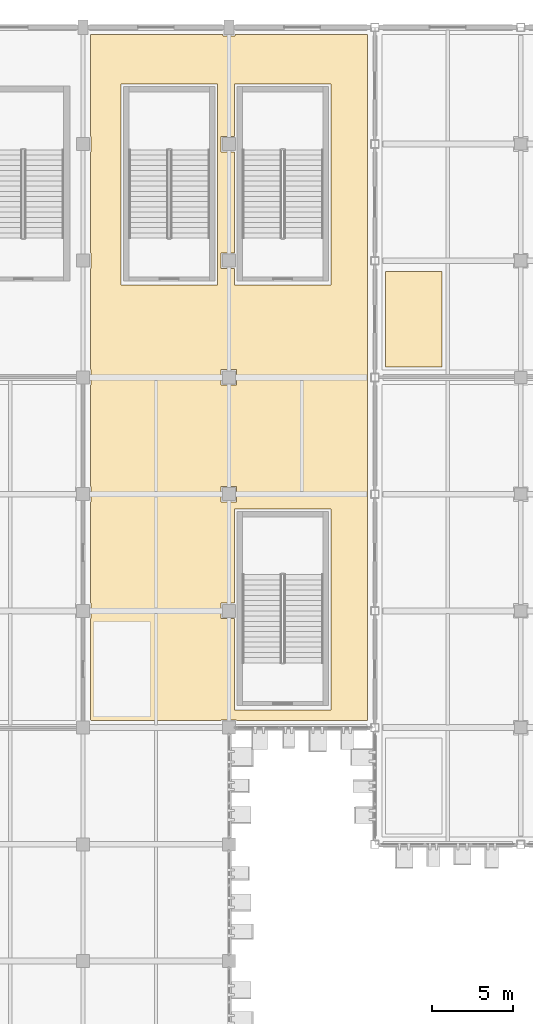
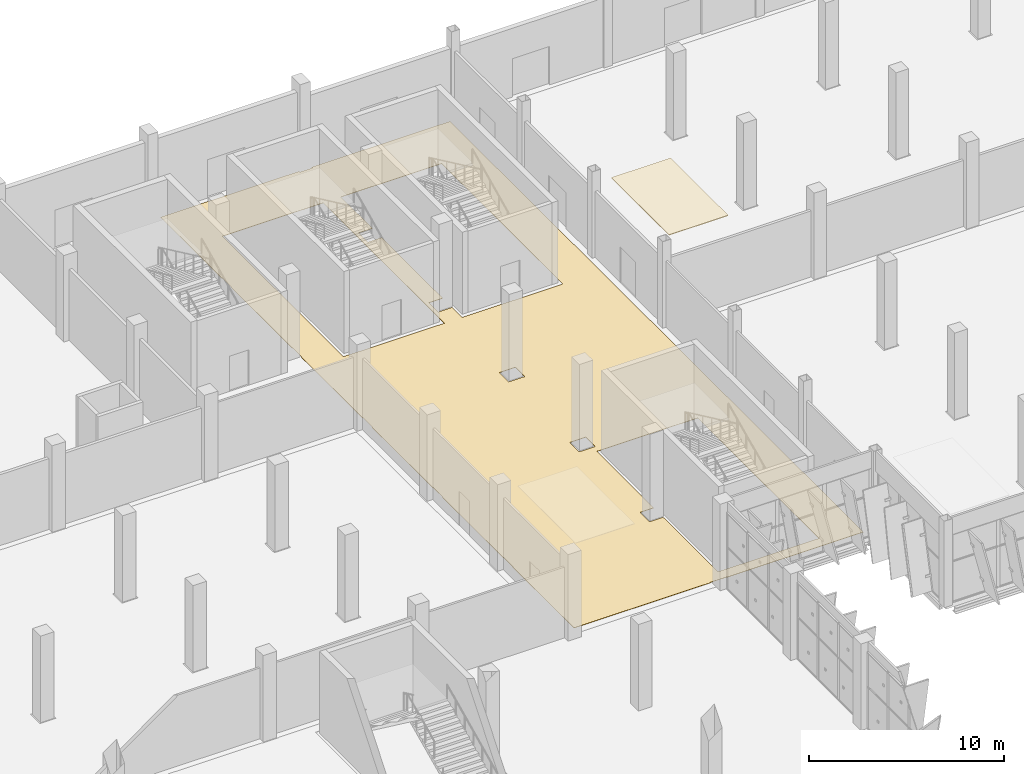
# One storey, part 134 of 137: 2 coverings.
"""IFC4 building model written with IfcOpenShell, lengths in metres."""

from ifc_helpers import new_model, si_unit, direction, frame, origin, place, context, subcontext, project, spatial, polyline, outline, extrude, material, layer, layer_set, type_object, element, save


model = new_model("IFC4")

# Units and contexts
model_context = context("Model", 3, precision=1e-05, world=origin(), true_north=direction((0.0, 1.0)))
body_context = subcontext(model_context, "Body", "Model", "MODEL_VIEW")
ifc_project = project(units=[si_unit("LENGTHUNIT", "METRE"), si_unit("AREAUNIT", "SQUARE_METRE"), si_unit("VOLUMEUNIT", "CUBIC_METRE"), si_unit("PLANEANGLEUNIT", "RADIAN"), si_unit("MASSUNIT", "GRAM", prefix="KILO")], contexts=[model_context])

# Site, building, storey
site_placement = place(None, origin())
site = spatial("IfcSite", under=ifc_project, at=site_placement, CompositionType="ELEMENT")
building_placement = place(site_placement, origin())
building = spatial("IfcBuilding", under=site, at=building_placement, Name="Celestram Park Convention Centre", CompositionType="ELEMENT")
storey_placement = place(building_placement, origin())
storey = spatial("IfcBuildingStorey", under=building, at=storey_placement, Name="L00", CompositionType="ELEMENT", Elevation=0.0)

# Coverings
ifc_material_1 = material(Name="Perforated Acoustic Mineral-Fibre Baffle Ceiling", Category="gypsum")
ifc_layer_1 = layer(ifc_material_1, 0.0400390625)
ifc_layer_set_1 = layer_set([ifc_layer_1], Name="Perforated Acoustic Mineral-Fibre Baffle Ceiling")
covering_type_1 = type_object("IfcCoveringType", Name="ARC-COV-CLG040", PredefinedType="CEILING", material=ifc_layer_set_1)
covering_1_placement = place(storey_placement, frame((0.0, 0.0, 4.93994140625)))
element("IfcCovering", 1, at=covering_1_placement, inside=storey, type_object=covering_type_1, Name="Keynote VIP Briefing Room acoustic baffle ceiling", PredefinedType="CEILING", context=body_context, shape_type="SweptSolid", body=[
    extrude(outline(polyline([(153.64990234375, 144.64990234375), (157.14990234375, 144.64990234375), (157.14990234375, 150.550048828125), (153.64990234375, 150.550048828125), (153.64990234375, 144.64990234375)])), origin(), (0.0, 0.0, 1.0), 0.0400390625),
])
ifc_material_2 = material(Name="Polished Lakefront Aggregate Terrazzo Flooring", Category="concrete")
ifc_layer_2 = layer(ifc_material_2, 0.02001953125)
ifc_layer_set_2 = layer_set([ifc_layer_2], Name="Polished Lakefront Aggregate Terrazzo Flooring")
covering_type_2 = type_object("IfcCoveringType", Name="ARC-COV-FLR020", PredefinedType="FLOORING", material=ifc_layer_set_2)
covering_2_placement = place(storey_placement, origin())
element("IfcCovering", 2, at=covering_2_placement, inside=storey, type_object=covering_type_2, Name="Plenary Ground Reception Gallery terrazzo flooring", PredefinedType="FLOORING", context=body_context, shape_type="SweptSolid", body=[
    extrude(outline(polyline([(143.6220703125, 165.14990234375), (143.6220703125, 165.072021484375), (144.3779296875, 165.072021484375), (144.3779296875, 165.14990234375), (152.550048828125, 165.14990234375), (152.550048828125, 122.85009765625), (144.47802734375, 122.85009765625), (144.47802734375, 122.8779296875), (143.52197265625, 122.8779296875), (143.52197265625, 122.85009765625), (135.47802734375, 122.85009765625), (135.47802734375, 122.8779296875), (135.449951171875, 122.8779296875), (135.449951171875, 129.1220703125), (135.47802734375, 129.1220703125), (135.47802734375, 130.077880859375), (135.449951171875, 130.077880859375), (135.449951171875, 136.322021484375), (135.47802734375, 136.322021484375), (135.47802734375, 137.278076171875), (135.449951171875, 137.278076171875), (135.449951171875, 143.52197265625), (135.47802734375, 143.52197265625), (135.47802734375, 144.47802734375), (135.449951171875, 144.47802734375), (135.449951171875, 150.721923828125), (135.47802734375, 150.721923828125), (135.47802734375, 151.677978515625), (135.449951171875, 151.677978515625), (135.449951171875, 157.922119140625), (135.47802734375, 157.922119140625), (135.47802734375, 158.8779296875), (135.449951171875, 158.8779296875), (135.449951171875, 165.14990234375), (143.6220703125, 165.14990234375)]), holes=[polyline([(150.300048828125, 135.89990234375), (144.340087890625, 135.89990234375), (144.340087890625, 130.077880859375), (143.52197265625, 130.077880859375), (143.52197265625, 129.1220703125), (144.340087890625, 129.1220703125), (144.340087890625, 123.5), (150.300048828125, 123.5), (150.300048828125, 135.89990234375)]), polyline([(150.300048828125, 162.10009765625), (144.340087890625, 162.10009765625), (144.340087890625, 158.8779296875), (143.52197265625, 158.8779296875), (143.52197265625, 157.922119140625), (144.340087890625, 157.922119140625), (144.340087890625, 151.677978515625), (143.52197265625, 151.677978515625), (143.52197265625, 150.721923828125), (144.340087890625, 150.721923828125), (144.340087890625, 149.699951171875), (150.300048828125, 149.699951171875), (150.300048828125, 162.10009765625)]), polyline([(143.300048828125, 162.10009765625), (137.340087890625, 162.10009765625), (137.340087890625, 149.699951171875), (143.300048828125, 149.699951171875), (143.300048828125, 162.10009765625)]), polyline([(144.47802734375, 137.278076171875), (143.52197265625, 137.278076171875), (143.52197265625, 136.322021484375), (144.47802734375, 136.322021484375), (144.47802734375, 137.278076171875)]), polyline([(144.47802734375, 143.52197265625), (144.47802734375, 144.47802734375), (143.52197265625, 144.47802734375), (143.52197265625, 143.52197265625), (144.47802734375, 143.52197265625)])]), origin(), (0.0, 0.0, 1.0), 0.02001953125),
])

save(model, "model.ifc")
